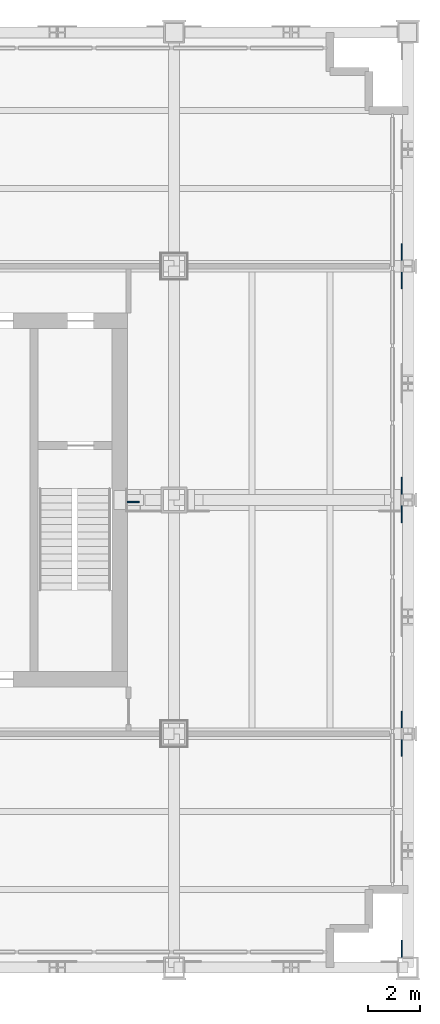
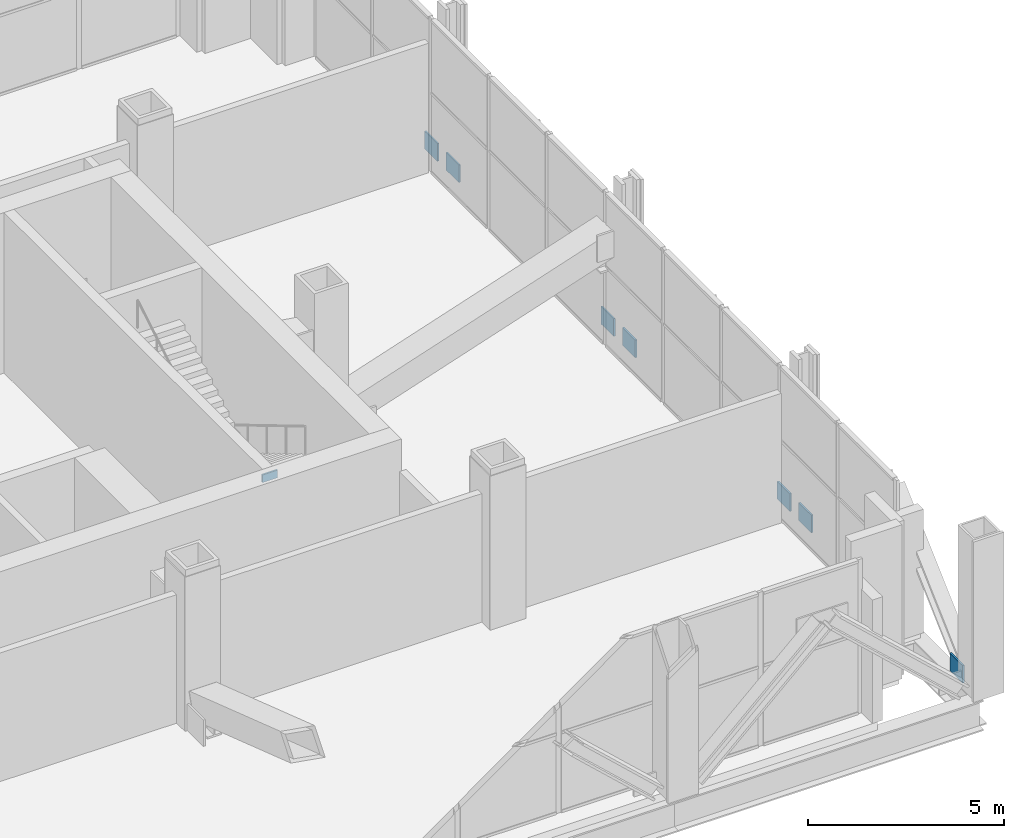
# One storey, part 13 of 16: 8 plates.
"""IFC4 building model written with IfcOpenShell, lengths in metres."""

from ifc_helpers import new_model, si_unit, direction, frame, origin, origin_2d, place, context, subcontext, project, spatial, rectangle, extrude, material, layer, layer_set, type_object, element, save


model = new_model("IFC4")

# Units and contexts
model_context = context("Model", 3, precision=1e-05, world=origin(), true_north=direction((0.0, 1.0)))
body_context = subcontext(model_context, "Body", "Model", "MODEL_VIEW")
ifc_project = project(units=[si_unit("LENGTHUNIT", "METRE"), si_unit("AREAUNIT", "SQUARE_METRE"), si_unit("VOLUMEUNIT", "CUBIC_METRE"), si_unit("PLANEANGLEUNIT", "RADIAN"), si_unit("MASSUNIT", "GRAM", prefix="KILO")], contexts=[model_context])

# Site, building, storey
site_placement = place(None, origin())
site = spatial("IfcSite", under=ifc_project, at=site_placement, CompositionType="ELEMENT")
building_placement = place(site_placement, origin())
building = spatial("IfcBuilding", under=site, at=building_placement, Name="Loomwork Tower", CompositionType="ELEMENT")
storey_placement = place(building_placement, frame((0.0, 0.0, 155.39990234375)))
storey = spatial("IfcBuildingStorey", under=building, at=storey_placement, Name="L42", CompositionType="ELEMENT", Elevation=155.39990234375)

# Plates
ifc_material_1 = material(Name="Steel ASTM A572 Grade 50 plate", Category="steel")
ifc_layer_1 = layer(ifc_material_1, 0.050048828125)
ifc_layer_set_1 = layer_set([ifc_layer_1], Name="OUTRIGGER SHEAR PLATE 50")
plate_type_1 = type_object("IfcPlateType", Name="OUTRIGGER SHEAR PLATE 50", PredefinedType="SHEET", material=ifc_layer_set_1)
plate_placement = place(storey_placement, frame((34.424560546875, 17.922119140625, -0.66943359375), z_axis=(0.0, 0.0, 1.0), x_axis=(1.0, 0.0, 0.0)))
element("IfcPlate", 1, at=plate_placement, inside=storey, type_object=plate_type_1, Name="Outrigger shear plate 36,18-33.9,18 L42", PredefinedType="SHEET", context=body_context, shape_type="SweptSolid", body=[
    extrude(rectangle(XDim=0.449951171875, YDim=0.050048828125, at=origin_2d()), origin(), (0.0, 0.0, 1.0), 0.239990234375),
])
ifc_material_2 = material(Name="Steel ASTM A572 Grade 50 plate", Category="steel")
ifc_layer_2 = layer(ifc_material_2, 0.050048828125)
ifc_layer_set_2 = layer_set([ifc_layer_2], Name="BELT TRUSS PIER GUSSET PLATE 50")
plate_type_2 = type_object("IfcPlateType", Name="BELT TRUSS PIER GUSSET PLATE 50", PredefinedType="SHEET", material=ifc_layer_set_2)
for number, where, z_axis, x_axis, name in (
    (2, (44.764404296875, 0.72705078125, 0.001953125), (0.0, 0.0, 1.0), (0.0, 1.0, 0.0), "Belt truss pier gusset plate D/7-E/7 1 L42"),
    (3, (44.764404296875, 8.451904296875, 0.001953125), (0.0, 0.0, 1.0), (0.0, 1.0, 0.0), "Belt truss pier gusset plate D/7-E/7 2 L42"),
    (4, (44.764404296875, 9.548095703125, 0.001953125), (0.0, 0.0, 1.0), (0.0, 1.0, 0.0), "Belt truss pier gusset plate E/7-F/7 1 L42"),
    (5, (44.764404296875, 17.451904296875, 0.001953125), (0.0, 0.0, 1.0), (0.0, 1.0, 0.0), "Belt truss pier gusset plate E/7-F/7 2 L42"),
    (6, (44.764404296875, 18.548095703125, 0.001953125), (0.0, 0.0, 1.0), (0.0, 1.0, 0.0), "Belt truss pier gusset plate F/7-G/7 1 L42"),
    (7, (44.764404296875, 26.451904296875, 0.001953125), (0.0, 0.0, 1.0), (0.0, 1.0, 0.0), "Belt truss pier gusset plate F/7-G/7 2 L42"),
    (8, (44.764404296875, 27.548095703125, 0.001953125), (0.0, 0.0, 1.0), (0.0, 1.0, 0.0), "Belt truss pier gusset plate G/7-H/7 1 L42"),
):
    element("IfcPlate", number, at=place(storey_placement, frame(where, z_axis=z_axis, x_axis=x_axis)), inside=storey, type_object=plate_type_2, Name=name, PredefinedType="SHEET", context=body_context, shape_type="SweptSolid", body=[
        extrude(rectangle(XDim=0.64990234375, YDim=0.050048828125, at=origin_2d()), origin(), (0.0, 0.0, 1.0), 0.550048828125),
    ])

save(model, "model.ifc")
